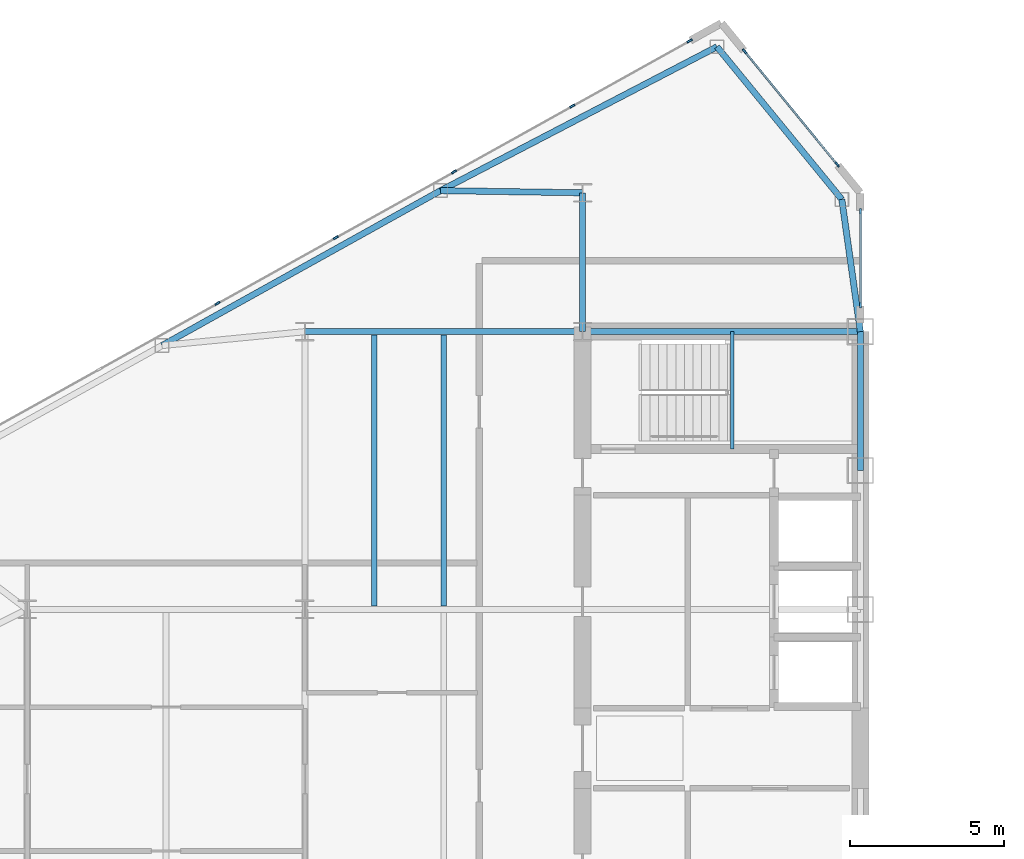
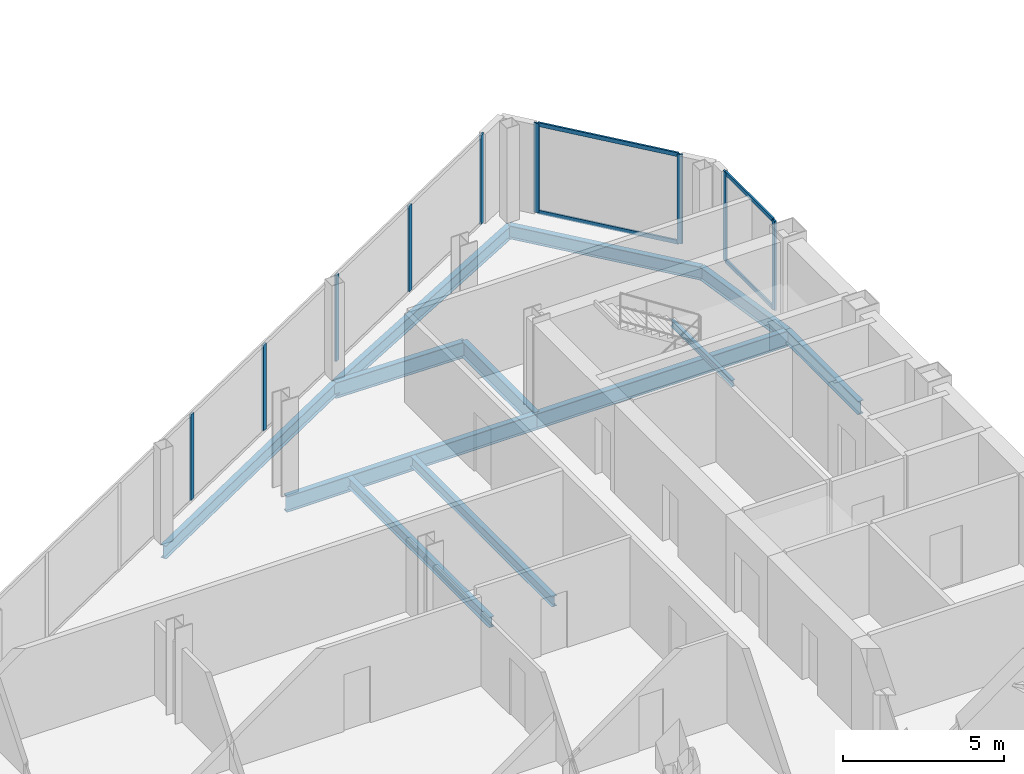
# One storey, part 10 of 26: 13 members, 12 beams, 3 elements without a shape of their own.
"""IFC4 building model written with IfcOpenShell, lengths in metres."""

from ifc_helpers import new_model, si_unit, direction, frame, origin, origin_2d, place, context, subcontext, project, spatial, rectangle, i_section, extrude, source, transform, mapped, material, layer, layer_set, material_profile, profile_set, type_object, type_shapes, element, aggregate, save


model = new_model("IFC4")

# Units and contexts
model_context = context("Model", 3, precision=1e-05, world=origin(), true_north=direction((0.0, 1.0)))
body_context = subcontext(model_context, "Body", "Model", "MODEL_VIEW")
ifc_project = project(units=[si_unit("LENGTHUNIT", "METRE"), si_unit("AREAUNIT", "SQUARE_METRE"), si_unit("VOLUMEUNIT", "CUBIC_METRE"), si_unit("PLANEANGLEUNIT", "RADIAN"), si_unit("MASSUNIT", "GRAM", prefix="KILO")], contexts=[model_context])

# Site, building, storey
site_placement = place(None, origin())
site = spatial("IfcSite", under=ifc_project, at=site_placement, CompositionType="ELEMENT")
building_placement = place(site_placement, origin())
building = spatial("IfcBuilding", under=site, at=building_placement, Name="Seokmaru Belvedere", CompositionType="ELEMENT")
storey_placement = place(building_placement, frame((0.0, 0.0, 174.300048828125)))
storey = spatial("IfcBuildingStorey", under=building, at=storey_placement, Name="L46", CompositionType="ELEMENT", Elevation=174.300048828125)

# Beams
ifc_material_1 = material(Name="Steel SM355 (355 MPa)", Category="steel")
ifc_material_profile_1 = material_profile(ifc_material_1, i_section(OverallWidth=0.199951171875, OverallDepth=0.5, WebThickness=0.010009765625, FlangeThickness=0.01611328125, at=origin_2d()), Name="H-500x200x10x16")
ifc_profile_set_1 = profile_set([ifc_material_profile_1], Name="Steel SM355 (355 MPa)")
beam_type_1 = type_object("IfcBeamType", Name="Perimeter Spandrel Beam H-500", PredefinedType="SPANDREL", material=ifc_profile_set_1)
shared_shape_1 = source(origin(), body_context, "Body", "SweptSolid", [
    extrude(i_section(OverallWidth=0.199951171875, OverallDepth=0.5, WebThickness=0.010009765625, FlangeThickness=0.01611328125, at=origin_2d()), origin(), (0.0, 0.0, 1.0), 4.5),
])
beam_1_placement = place(storey_placement, frame((-27.5, 9.0, -0.469970703125), z_axis=(0.0, 1.0, 0.0), x_axis=(-1.0, 0.0, 0.0)))
element("IfcBeam", 1, at=beam_1_placement, inside=storey, type_object=beam_type_1, Name="L46 W Portal Spine Spandrel 5", PredefinedType="SPANDREL", context=body_context, shape_type="MappedRepresentation", body=[
    mapped(shared_shape_1, transform((0.0, 0.0, 0.0), scale=1.0)),
])
ifc_material_profile_2 = material_profile(ifc_material_1, i_section(OverallWidth=0.199951171875, OverallDepth=0.60009765625, WebThickness=0.010986328125, FlangeThickness=0.01708984375, at=origin_2d()), Name="H-600x200x11x17")
ifc_profile_set_2 = profile_set([ifc_material_profile_2], Name="Steel SM355 (355 MPa)")
beam_type_2 = type_object("IfcBeamType", Name="Primary Floor Girder H-600", PredefinedType="BEAM", material=ifc_profile_set_2)
shared_shape_2 = source(origin(), body_context, "Body", "SweptSolid", [
    extrude(i_section(OverallWidth=0.199951171875, OverallDepth=0.60009765625, WebThickness=0.010986328125, FlangeThickness=0.01708984375, at=origin_2d()), origin(), (0.0, 0.0, 1.0), 9.0),
])
for number, where, z_axis, x_axis, name in (
    (2, (-36.5, 13.5, -0.52001953125), (1.0, 0.0, 0.0), (0.0, 1.0, 0.0), "L46 W Core Tie Girder 4"),
    (3, (-45.5, 13.5, -0.52001953125), (1.0, 0.0, 0.0), (0.0, 1.0, 0.0), "L46 W Wing Primary Girder 4"),
):
    element("IfcBeam", number, at=place(storey_placement, frame(where, z_axis=z_axis, x_axis=x_axis)), inside=storey, type_object=beam_type_2, Name=name, PredefinedType="BEAM", context=body_context, shape_type="MappedRepresentation", body=[
        mapped(shared_shape_2, transform((0.0, 0.0, 0.0), scale=1.0)),
    ])
ifc_material_profile_3 = material_profile(ifc_material_1, i_section(OverallWidth=0.18505859375, OverallDepth=0.389892578125, WebThickness=0.008056640625, FlangeThickness=0.011962890625, at=origin_2d()), Name="H-390x185x8x12")
ifc_profile_set_3 = profile_set([ifc_material_profile_3], Name="Steel SM355 (355 MPa)")
beam_type_3 = type_object("IfcBeamType", Name="Secondary Floor Joist H-350", PredefinedType="JOIST", material=ifc_profile_set_3)
shared_shape_3 = source(origin(), body_context, "Body", "SweptSolid", [
    extrude(i_section(OverallWidth=0.18505859375, OverallDepth=0.389892578125, WebThickness=0.008056640625, FlangeThickness=0.011962890625, at=origin_2d()), origin(), (0.0, 0.0, 1.0), 8.7900390625),
])
type_shapes(beam_type_3, [shared_shape_3])
for number, where, z_axis, x_axis, name in (
    (4, (-43.25, 4.60498046875, -0.4150390625), (0.0, 1.0, 0.0), (-1.0, 0.0, 0.0), "L46 W Wing Inner Secondary Joist 2"),
    (5, (-41.0, 4.60498046875, -0.4150390625), (0.0, 1.0, 0.0), (-1.0, 0.0, 0.0), "L46 W Secondary Floor Joist 3"),
):
    element("IfcBeam", number, at=place(storey_placement, frame(where, z_axis=z_axis, x_axis=x_axis)), inside=storey, type_object=beam_type_3, Name=name, PredefinedType="JOIST", context=body_context, shape_type="MappedRepresentation", body=[
        mapped(shared_shape_3, transform((0.0, 0.0, 0.0), scale=1.0)),
    ])
shared_shape_4 = source(origin(), body_context, "Body", "SweptSolid", [
    extrude(i_section(OverallWidth=0.199951171875, OverallDepth=0.60009765625, WebThickness=0.010986328125, FlangeThickness=0.01708984375, at=origin_2d()), origin(), (0.0, 0.0, 1.0), 4.5),
])
beam_2_placement = place(storey_placement, frame((-36.5, 13.5, -0.52001953125), z_axis=(0.0, 1.0, 0.0), x_axis=(-1.0, 0.0, 0.0)))
element("IfcBeam", 6, at=beam_2_placement, inside=storey, type_object=beam_type_2, Name="L46 W Core Shoulder Girder N", PredefinedType="BEAM", context=body_context, shape_type="MappedRepresentation", body=[
    mapped(shared_shape_4, transform((0.0, 0.0, 0.0), scale=1.0)),
])
shared_shape_5 = source(origin(), body_context, "Body", "SweptSolid", [
    extrude(i_section(OverallWidth=0.199951171875, OverallDepth=0.5, WebThickness=0.010009765625, FlangeThickness=0.01611328125, at=origin_2d()), origin(), (0.0, 0.0, 1.0), 10.09716796875),
])
beam_3_placement = place(storey_placement, frame((-32.146728515625, 22.731689453125, -0.469970703125), z_axis=(-0.887085728914, -0.461604711369, 0.0), x_axis=(0.461604711369, -0.887085728914, 0.0)))
element("IfcBeam", 7, at=beam_3_placement, inside=storey, type_object=beam_type_1, Name="L46 W Faceted Flank Spandrel N-1", PredefinedType="SPANDREL", context=body_context, shape_type="MappedRepresentation", body=[
    mapped(shared_shape_5, transform((0.0, 0.0, 0.0), scale=1.0)),
])
shared_shape_6 = source(origin(), body_context, "Body", "SweptSolid", [
    extrude(i_section(OverallWidth=0.199951171875, OverallDepth=0.5, WebThickness=0.010009765625, FlangeThickness=0.01611328125, at=origin_2d()), origin(), (0.0, 0.0, 1.0), 10.327392578125),
])
beam_4_placement = place(storey_placement, frame((-41.103759765625, 18.07080078125, -0.469970703125), z_axis=(-0.873924120588, -0.486062374037, 0.0), x_axis=(0.486062374037, -0.873924120588, 0.0)))
element("IfcBeam", 8, at=beam_4_placement, inside=storey, type_object=beam_type_1, Name="L46 W Faceted Flank Spandrel N-2", PredefinedType="SPANDREL", context=body_context, shape_type="MappedRepresentation", body=[
    mapped(shared_shape_6, transform((0.0, 0.0, 0.0), scale=1.0)),
])
shared_shape_7 = source(origin(), body_context, "Body", "SweptSolid", [
    extrude(i_section(OverallWidth=0.199951171875, OverallDepth=0.5, WebThickness=0.010009765625, FlangeThickness=0.01611328125, at=origin_2d()), origin(), (0.0, 0.0, 1.0), 6.390380859375),
])
beam_5_placement = place(storey_placement, frame((-32.146728515625, 22.731689453125, -0.469970703125), z_axis=(0.63324403161, -0.7739521926, 0.0), x_axis=(0.7739521926, 0.63324403161, 0.0)))
element("IfcBeam", 9, at=beam_5_placement, inside=storey, type_object=beam_type_1, Name="L46 W Shoulder Chamfer Spandrel N", PredefinedType="SPANDREL", context=body_context, shape_type="MappedRepresentation", body=[
    mapped(shared_shape_7, transform((0.0, 0.0, 0.0), scale=1.0)),
])
shared_shape_8 = source(origin(), body_context, "Body", "SweptSolid", [
    extrude(i_section(OverallWidth=0.199951171875, OverallDepth=0.5, WebThickness=0.010009765625, FlangeThickness=0.01611328125, at=origin_2d()), origin(), (0.0, 0.0, 1.0), 4.32763671875),
])
type_shapes(beam_type_1, [shared_shape_1, shared_shape_5, shared_shape_6, shared_shape_7, shared_shape_8])
beam_6_placement = place(storey_placement, frame((-28.10009765625, 17.785888671875, -0.469970703125), z_axis=(0.138664443237, -0.990339422714, 0.0), x_axis=(0.990339422714, 0.138664443237, 0.0)))
element("IfcBeam", 10, at=beam_6_placement, inside=storey, type_object=beam_type_1, Name="L46 W Shoulder Spine Spandrel N", PredefinedType="SPANDREL", context=body_context, shape_type="MappedRepresentation", body=[
    mapped(shared_shape_8, transform((0.0, 0.0, 0.0), scale=1.0)),
])
shared_shape_9 = source(origin(), body_context, "Body", "SweptSolid", [
    extrude(i_section(OverallWidth=0.199951171875, OverallDepth=0.60009765625, WebThickness=0.010986328125, FlangeThickness=0.01708984375, at=origin_2d()), origin(), (0.0, 0.0, 1.0), 4.604248046875),
])
type_shapes(beam_type_2, [shared_shape_2, shared_shape_4, shared_shape_9])
beam_7_placement = place(storey_placement, frame((-41.103759765625, 18.07080078125, -0.52001953125), z_axis=(0.999881765622, -0.01537708607, 0.0), x_axis=(0.01537708607, 0.999881765622, 0.0)))
element("IfcBeam", 11, at=beam_7_placement, inside=storey, type_object=beam_type_2, Name="L46 W Flank Radial Floor Girder N-1", PredefinedType="BEAM", context=body_context, shape_type="MappedRepresentation", body=[
    mapped(shared_shape_9, transform((0.0, 0.0, 0.0), scale=1.0)),
])

# Curtain wall, members
ifc_material_2 = material(Name="Bronze Triple Insulating Glass", Category="glass")
ifc_layer = layer(ifc_material_2, 0.179931640625)
ifc_layer_set = layer_set([ifc_layer], Name="Bronze Triple Insulating Glass")
curtain_wall_type = type_object("IfcCurtainWallType", Name="High-Rise Wind-Corner Curtain Wall System CW-5", PredefinedType="NOTDEFINED", material=ifc_layer_set)
curtain_wall_1_placement = place(storey_placement, origin())
curtain_wall_1 = element("IfcCurtainWall", 12, at=curtain_wall_1_placement, inside=storey, type_object=curtain_wall_type, Name="L46 Curtain Wall WSP_2", PredefinedType="NOTDEFINED")
ifc_material_3 = material(Name="Anodised Bronze Aluminium", Category="aluminium")
ifc_material_profile_4 = material_profile(ifc_material_3, rectangle(XDim=0.06494140625, YDim=0.14990234375, at=origin_2d()), Name="CW-T-65x150")
ifc_profile_set_4 = profile_set([ifc_material_profile_4], Name="Anodised Bronze Aluminium")
member_type_1 = type_object("IfcMemberType", Name="Bronze Unitised Transom 65x150", PredefinedType="USERDEFINED", material=ifc_profile_set_4)
shared_shape_10 = source(origin(), body_context, "Body", "SweptSolid", [
    extrude(rectangle(XDim=0.06494140625, YDim=0.14990234375, at=origin_2d()), origin(), (0.0, 0.0, 1.0), 2.969970703125),
])
member_1_placement = place(storey_placement, frame((-27.5, 14.39501953125, 0.032470703125), z_axis=(0.0, 1.0, 0.0), x_axis=(-1.0, 0.0, 0.0)))
member_1 = element("IfcMember", 13, at=member_1_placement, type_object=member_type_1, Name="CW:L46:WSP_2 Continuous Transom 1", ObjectType="TRANSOM", PredefinedType="USERDEFINED", context=body_context, shape_type="MappedRepresentation", body=[
    mapped(shared_shape_10, transform((0.0, 0.0, 0.0), scale=1.0)),
])
member_2_placement = place(storey_placement, frame((-27.5, 14.39501953125, 3.347412109375), z_axis=(0.0, 1.0, 0.0), x_axis=(-1.0, 0.0, 0.0)))
member_2 = element("IfcMember", 14, at=member_2_placement, type_object=member_type_1, Name="CW:L46:WSP_2 Continuous Transom 2", ObjectType="TRANSOM", PredefinedType="USERDEFINED", context=body_context, shape_type="MappedRepresentation", body=[
    mapped(shared_shape_10, transform((0.0, 0.0, 0.0), scale=1.0)),
])

curtain_wall_2_placement = place(storey_placement, origin())
curtain_wall_2 = element("IfcCurtainWall", 15, at=curtain_wall_2_placement, inside=storey, type_object=curtain_wall_type, Name="L46 Curtain Wall WF2", PredefinedType="NOTDEFINED")
shared_shape_11 = source(origin(), body_context, "Body", "SweptSolid", [
    extrude(rectangle(XDim=0.06494140625, YDim=0.14990234375, at=origin_2d()), origin(), (0.0, 0.0, 1.0), 4.67626953125),
])
type_shapes(member_type_1, [shared_shape_10, shared_shape_11])
member_3_placement = place(storey_placement, frame((-28.269287109375, 18.9404296875, 0.032470703125), z_axis=(-0.633277591216, 0.773924733074, 0.0), x_axis=(-0.773924733074, -0.633277591216, 0.0)))
member_3 = element("IfcMember", 16, at=member_3_placement, type_object=member_type_1, Name="CW:L46:WF2 Continuous Transom 1", ObjectType="TRANSOM", PredefinedType="USERDEFINED", context=body_context, shape_type="MappedRepresentation", body=[
    mapped(shared_shape_11, transform((0.0, 0.0, 0.0), scale=1.0)),
])
member_4_placement = place(storey_placement, frame((-28.269287109375, 18.9404296875, 3.347412109375), z_axis=(-0.633277591216, 0.773924733074, 0.0), x_axis=(-0.773924733074, -0.633277591216, 0.0)))
member_4 = element("IfcMember", 17, at=member_4_placement, type_object=member_type_1, Name="CW:L46:WF2 Continuous Transom 2", ObjectType="TRANSOM", PredefinedType="USERDEFINED", context=body_context, shape_type="MappedRepresentation", body=[
    mapped(shared_shape_11, transform((0.0, 0.0, 0.0), scale=1.0)),
])

# Member
ifc_material_profile_5 = material_profile(ifc_material_3, rectangle(XDim=0.06494140625, YDim=0.179931640625, at=origin_2d()), Name="CW-M-65x180")
ifc_profile_set_5 = profile_set([ifc_material_profile_5], Name="Anodised Bronze Aluminium")
member_type_2 = type_object("IfcMemberType", Name="Bronze Unitised Mullion 65x180", PredefinedType="MULLION", material=ifc_profile_set_5)
shared_shape_12 = source(origin(), body_context, "Body", "SweptSolid", [
    extrude(rectangle(XDim=0.06494140625, YDim=0.179931640625, at=origin_2d()), origin(), (0.0, 0.0, 1.0), 3.3798828125),
])
member_5_placement = place(storey_placement, frame((-27.5, 14.362548828125, 0.0), z_axis=(0.0, 0.0, 1.0), x_axis=(-1.0, 0.0, 0.0)))
member_5 = element("IfcMember", 18, at=member_5_placement, type_object=member_type_2, Name="CW:L46:WSP_2 Mullion 1", PredefinedType="MULLION", context=body_context, shape_type="MappedRepresentation", body=[
    mapped(shared_shape_12, transform((0.0, 0.0, 0.0), scale=1.0)),
])

member_6_placement = place(storey_placement, frame((-27.5, 17.3974609375, 0.0), z_axis=(0.0, 0.0, 1.0), x_axis=(-1.0, 0.0, 0.0)))
member_6 = element("IfcMember", 19, at=member_6_placement, type_object=member_type_2, Name="CW:L46:WSP_2 Mullion 2", PredefinedType="MULLION", context=body_context, shape_type="MappedRepresentation", body=[
    mapped(shared_shape_12, transform((0.0, 0.0, 0.0), scale=1.0)),
])

aggregate(curtain_wall_1, [member_5, member_6, member_1, member_2])

member_7_placement = place(storey_placement, frame((-28.248779296875, 18.915283203125, 0.0), z_axis=(0.0, 0.0, 1.0), x_axis=(-0.773944112379, -0.633253907144, 0.0)))
member_7 = element("IfcMember", 20, at=member_7_placement, type_object=member_type_2, Name="CW:L46:WF2 Mullion 1", PredefinedType="MULLION", context=body_context, shape_type="MappedRepresentation", body=[
    mapped(shared_shape_12, transform((0.0, 0.0, 0.0), scale=1.0)),
])

member_8_placement = place(storey_placement, frame((-31.251220703125, 22.584716796875, 0.0), z_axis=(0.0, 0.0, 1.0), x_axis=(-0.773944112379, -0.633253907144, 0.0)))
member_8 = element("IfcMember", 21, at=member_8_placement, type_object=member_type_2, Name="CW:L46:WF2 Mullion 2", PredefinedType="MULLION", context=body_context, shape_type="MappedRepresentation", body=[
    mapped(shared_shape_12, transform((0.0, 0.0, 0.0), scale=1.0)),
])

aggregate(curtain_wall_2, [member_7, member_8, member_3, member_4])

# Curtain wall, members
curtain_wall_3_placement = place(storey_placement, origin())
curtain_wall_3 = element("IfcCurtainWall", 22, at=curtain_wall_3_placement, inside=storey, type_object=curtain_wall_type, Name="L46 Curtain Wall WF3", PredefinedType="NOTDEFINED")
member_9_placement = place(storey_placement, frame((-33.033447265625, 22.92529296875, 0.0), z_axis=(0.0, 0.0, 1.0), x_axis=(0.486047125147, -0.873932601598, 0.0)))
member_9 = element("IfcMember", 23, at=member_9_placement, type_object=member_type_2, Name="CW:L46:WF3 Mullion 1", PredefinedType="MULLION", context=body_context, shape_type="MappedRepresentation", body=[
    mapped(shared_shape_12, transform((0.0, 0.0, 0.0), scale=1.0)),
])
shared_shape_13 = source(origin(), body_context, "Body", "SweptSolid", [
    extrude(rectangle(XDim=0.06494140625, YDim=0.179931640625, at=origin_2d()), origin(), (0.0, 0.0, 1.0), 3.25),
])
type_shapes(member_type_2, [shared_shape_12, shared_shape_13])
member_10_placement = place(storey_placement, frame((-36.837158203125, 20.809814453125, 0.06494140625), z_axis=(0.0, 0.0, 1.0), x_axis=(0.486047125147, -0.873932601598, 0.0)))
member_10 = element("IfcMember", 24, at=member_10_placement, type_object=member_type_2, Name="CW:L46:WF3 Mullion 2", PredefinedType="MULLION", context=body_context, shape_type="MappedRepresentation", body=[
    mapped(shared_shape_13, transform((0.0, 0.0, 0.0), scale=1.0)),
])
member_11_placement = place(storey_placement, frame((-40.66943359375, 18.67822265625, 0.06494140625), z_axis=(0.0, 0.0, 1.0), x_axis=(0.486047125147, -0.873932601598, 0.0)))
member_11 = element("IfcMember", 25, at=member_11_placement, type_object=member_type_2, Name="CW:L46:WF3 Mullion 3", PredefinedType="MULLION", context=body_context, shape_type="MappedRepresentation", body=[
    mapped(shared_shape_13, transform((0.0, 0.0, 0.0), scale=1.0)),
])
member_12_placement = place(storey_placement, frame((-44.501708984375, 16.547119140625, 0.06494140625), z_axis=(0.0, 0.0, 1.0), x_axis=(0.486047125147, -0.873932601598, 0.0)))
member_12 = element("IfcMember", 26, at=member_12_placement, type_object=member_type_2, Name="CW:L46:WF3 Mullion 4", PredefinedType="MULLION", context=body_context, shape_type="MappedRepresentation", body=[
    mapped(shared_shape_13, transform((0.0, 0.0, 0.0), scale=1.0)),
])
member_13_placement = place(storey_placement, frame((-48.333984375, 14.415771484375, 0.06494140625), z_axis=(0.0, 0.0, 1.0), x_axis=(0.486047125147, -0.873932601598, 0.0)))
member_13 = element("IfcMember", 27, at=member_13_placement, type_object=member_type_2, Name="CW:L46:WF3 Mullion 5", PredefinedType="MULLION", context=body_context, shape_type="MappedRepresentation", body=[
    mapped(shared_shape_13, transform((0.0, 0.0, 0.0), scale=1.0)),
])
aggregate(curtain_wall_3, [member_9, member_10, member_11, member_12, member_13])

# Beam
ifc_material_profile_6 = material_profile(ifc_material_1, i_section(OverallWidth=0.125, OverallDepth=0.25, WebThickness=0.006103515625, FlangeThickness=0.009033203125, at=origin_2d()), Name="H-250x125x6x9")
ifc_profile_set_6 = profile_set([ifc_material_profile_6], Name="Steel SM355 (355 MPa)")
beam_type_4 = type_object("IfcBeamType", Name="Stair Mid-Landing Support Beam H-250", PredefinedType="JOIST", material=ifc_profile_set_6)
shared_shape_14 = source(origin(), body_context, "Body", "SweptSolid", [
    extrude(i_section(OverallWidth=0.125, OverallDepth=0.25, WebThickness=0.006103515625, FlangeThickness=0.009033203125, at=origin_2d()), origin(), (0.0, 0.0, 1.0), 3.800048828125),
])
type_shapes(beam_type_4, [shared_shape_14])
beam_8_placement = place(storey_placement, frame((-31.64990234375, 9.699951171875, 1.474853515625), z_axis=(0.0, 1.0, 0.0), x_axis=(-1.0, 0.0, 0.0)))
element("IfcBeam", 28, at=beam_8_placement, inside=storey, type_object=beam_type_4, Name="L46 Stair ST-W2 Mid-Landing Support Beam 1", PredefinedType="JOIST", context=body_context, shape_type="MappedRepresentation", body=[
    mapped(shared_shape_14, transform((0.0, 0.0, 0.0), scale=1.0)),
])

save(model, "model.ifc")
